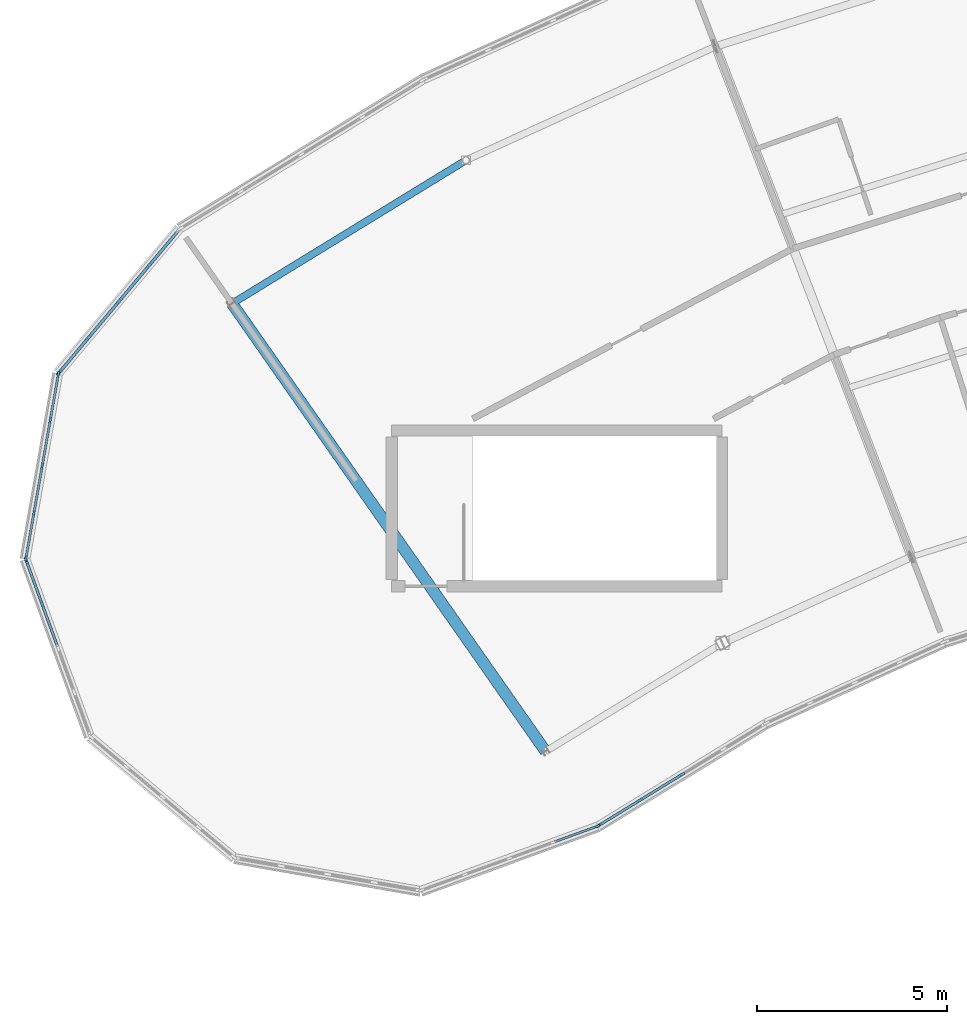
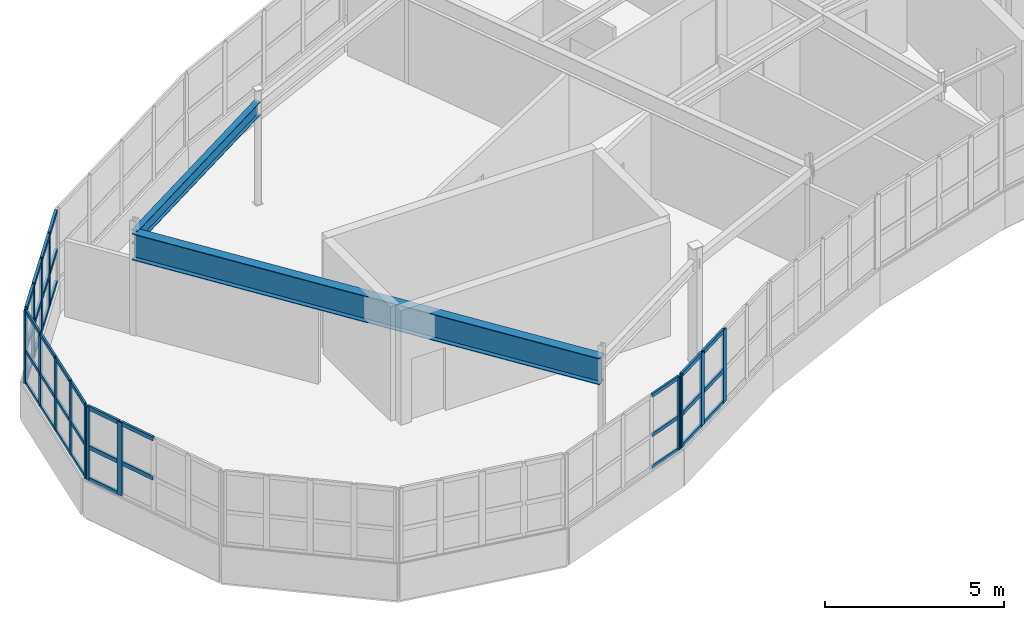
# One storey, part 26 of 60: 53 members, 2 beams, 5 elements without a shape of their own.
"""IFC4 building model written with IfcOpenShell, lengths in metres."""

from ifc_helpers import new_model, si_unit, direction, frame, origin, origin_2d, place, context, subcontext, project, spatial, rectangle, i_section, extrude, material, layer, layer_set, material_profile, profile_set, type_object, element, aggregate, save


model = new_model("IFC4")

# Units and contexts
model_context = context("Model", 3, precision=1e-05, world=origin(), true_north=direction((0.0, 1.0)))
body_context = subcontext(model_context, "Body", "Model", "MODEL_VIEW")
ifc_project = project(units=[si_unit("LENGTHUNIT", "METRE"), si_unit("AREAUNIT", "SQUARE_METRE"), si_unit("VOLUMEUNIT", "CUBIC_METRE"), si_unit("PLANEANGLEUNIT", "RADIAN"), si_unit("MASSUNIT", "GRAM", prefix="KILO")], contexts=[model_context])

# Site, building, storey
site_placement = place(None, origin())
site = spatial("IfcSite", under=ifc_project, at=site_placement, CompositionType="ELEMENT")
building_placement = place(site_placement, origin())
building = spatial("IfcBuilding", under=site, at=building_placement, Name="Tarnwether General Hospital", CompositionType="ELEMENT")
storey_placement = place(building_placement, frame((0.0, 0.0, 26.10009765625)))
storey = spatial("IfcBuildingStorey", under=building, at=storey_placement, Name="L06", CompositionType="ELEMENT", Elevation=26.10009765625)

# Beams
ifc_material_1 = material(Name="Steel Grade 350 (350 MPa)", Category="steel")
ifc_material_profile_1 = material_profile(ifc_material_1, i_section(OverallWidth=0.300048828125, OverallDepth=0.89990234375, WebThickness=0.011962890625, FlangeThickness=0.02001953125, at=origin_2d()), Name="900WB175")
ifc_profile_set_1 = profile_set([ifc_material_profile_1], Name="Steel Grade 350 (350 MPa)")
beam_type_1 = type_object("IfcBeamType", Name="BM-G01", PredefinedType="BEAM", material=ifc_profile_set_1)
beam_1_placement = place(storey_placement, frame((58.0439453125, 111.493896484375, 3.0498046875), z_axis=(0.573596601347, -0.819137924237, 0.0), x_axis=(0.819137924237, 0.573596601347, 0.0)))
element("IfcBeam", 1, at=beam_1_placement, inside=storey, type_object=beam_type_1, Name="Curved Ward NW Radial Girder BMG-L06-5804_11149-6630_9970-2013", PredefinedType="BEAM", context=body_context, shape_type="SweptSolid", body=[
    extrude(i_section(OverallWidth=0.300048828125, OverallDepth=0.89990234375, WebThickness=0.011962890625, FlangeThickness=0.02001953125, at=origin_2d()), origin(), (0.0, 0.0, 1.0), 14.400390625),
])
ifc_material_2 = material(Name="Steel Grade 350 (350 MPa)", Category="steel")
ifc_material_profile_2 = material_profile(ifc_material_2, i_section(OverallWidth=0.18994140625, OverallDepth=0.4541015625, WebThickness=0.008544921875, FlangeThickness=0.0126953125, at=origin_2d()), Name="460UB67.1")
ifc_profile_set_2 = profile_set([ifc_material_profile_2], Name="Steel Grade 350 (350 MPa)")
beam_type_2 = type_object("IfcBeamType", Name="BM-SP1", PredefinedType="SPANDREL", material=ifc_profile_set_2)
beam_2_placement = place(storey_placement, frame((58.0439453125, 111.493896484375, 3.27294921875), z_axis=(0.852678430503, 0.522436114902, 0.0), x_axis=(-0.522436114902, 0.852678430503, 0.0)))
element("IfcBeam", 2, at=beam_2_placement, inside=storey, type_object=beam_type_2, Name="Curved Ward NW Outer Spandrel BMG-L06-5804_11149-6421_11527-2019", PredefinedType="SPANDREL", context=body_context, shape_type="SweptSolid", body=[
    extrude(i_section(OverallWidth=0.18994140625, OverallDepth=0.4541015625, WebThickness=0.008544921875, FlangeThickness=0.0126953125, at=origin_2d()), origin(), (0.0, 0.0, 1.0), 7.22802734375),
])

# Curtain wall, members
ifc_material_3 = material(Name="Anodised aluminium", Category="aluminium")
ifc_layer = layer(ifc_material_3, 0.159912109375)
ifc_layer_set = layer_set([ifc_layer], Name="Anodised aluminium")
curtain_wall_type = type_object("IfcCurtainWallType", Name="CW-04", PredefinedType="NOTDEFINED", material=ifc_layer_set)
curtain_wall_1_placement = place(storey_placement, origin())
curtain_wall_1 = element("IfcCurtainWall", 3, at=curtain_wall_1_placement, inside=storey, type_object=curtain_wall_type, Name="Curtain Wall CWG-L06-526_1048-0097", PredefinedType="NOTDEFINED")
ifc_material_4 = material(Name="Anodised aluminium", Category="aluminium")
ifc_material_profile_3 = material_profile(ifc_material_4, rectangle(XDim=0.06005859375, YDim=0.159912109375, at=origin_2d()), Name="ALU-MUL-60x160")
ifc_profile_set_3 = profile_set([ifc_material_profile_3], Name="Anodised aluminium")
member_type_1 = type_object("IfcMemberType", Name="CW-ML1", PredefinedType="MULLION", material=ifc_profile_set_3)
member_1_placement = place(storey_placement, frame((52.6162109375, 104.78857421875, 1.0498046875), z_axis=(0.0, 0.0, 1.0), x_axis=(-0.984840230098, 0.173463890135, 0.0)))
member_1 = element("IfcMember", 4, at=member_1_placement, type_object=member_type_1, Name="CW-04 mullion 1", PredefinedType="MULLION", context=body_context, shape_type="SweptSolid", body=[
    extrude(rectangle(XDim=0.06005859375, YDim=0.159912109375, at=origin_2d()), origin(), (0.0, 0.0, 1.0), 2.4951171875),
])
member_2_placement = place(storey_placement, frame((52.826416015625, 105.982421875, 1.0498046875), z_axis=(0.0, 0.0, 1.0), x_axis=(-0.984840230098, 0.173463890135, 0.0)))
member_2 = element("IfcMember", 5, at=member_2_placement, type_object=member_type_1, Name="CW-04 mullion 2", PredefinedType="MULLION", context=body_context, shape_type="SweptSolid", body=[
    extrude(rectangle(XDim=0.06005859375, YDim=0.159912109375, at=origin_2d()), origin(), (0.0, 0.0, 1.0), 2.4951171875),
])
member_3_placement = place(storey_placement, frame((53.0419921875, 107.2060546875, 1.0498046875), z_axis=(0.0, 0.0, 1.0), x_axis=(-0.984840230098, 0.173463890135, 0.0)))
member_3 = element("IfcMember", 6, at=member_3_placement, type_object=member_type_1, Name="CW-04 mullion 3", PredefinedType="MULLION", context=body_context, shape_type="SweptSolid", body=[
    extrude(rectangle(XDim=0.06005859375, YDim=0.159912109375, at=origin_2d()), origin(), (0.0, 0.0, 1.0), 2.4951171875),
])
member_4_placement = place(storey_placement, frame((53.257568359375, 108.429443359375, 1.0498046875), z_axis=(0.0, 0.0, 1.0), x_axis=(-0.984840230098, 0.173463890135, 0.0)))
member_4 = element("IfcMember", 7, at=member_4_placement, type_object=member_type_1, Name="CW-04 mullion 4", PredefinedType="MULLION", context=body_context, shape_type="SweptSolid", body=[
    extrude(rectangle(XDim=0.06005859375, YDim=0.159912109375, at=origin_2d()), origin(), (0.0, 0.0, 1.0), 2.4951171875),
])
member_5_placement = place(storey_placement, frame((53.4677734375, 109.62353515625, 1.0498046875), z_axis=(0.0, 0.0, 1.0), x_axis=(-0.984840230098, 0.173463890135, 0.0)))
member_5 = element("IfcMember", 8, at=member_5_placement, type_object=member_type_1, Name="CW-04 mullion 5", PredefinedType="MULLION", context=body_context, shape_type="SweptSolid", body=[
    extrude(rectangle(XDim=0.06005859375, YDim=0.159912109375, at=origin_2d()), origin(), (0.0, 0.0, 1.0), 2.4951171875),
])

# Curtain wall, member
curtain_wall_2_placement = place(storey_placement, origin())
curtain_wall_2 = element("IfcCurtainWall", 9, at=curtain_wall_2_placement, inside=storey, type_object=curtain_wall_type, Name="Curtain Wall CWG-L06-677_977-0101", PredefinedType="NOTDEFINED")
member_6_placement = place(storey_placement, frame((67.65185546875, 97.7216796875, 1.0498046875), z_axis=(0.0, 0.0, 1.0), x_axis=(0.342130850834, -0.939652319163, 0.0)))
member_6 = element("IfcMember", 10, at=member_6_placement, type_object=member_type_1, Name="CW-04 mullion 1", PredefinedType="MULLION", context=body_context, shape_type="SweptSolid", body=[
    extrude(rectangle(XDim=0.06005859375, YDim=0.159912109375, at=origin_2d()), origin(), (0.0, 0.0, 1.0), 2.4951171875),
])

# Curtain wall, members
curtain_wall_3_placement = place(storey_placement, origin())
curtain_wall_3 = element("IfcCurtainWall", 11, at=curtain_wall_3_placement, inside=storey, type_object=curtain_wall_type, Name="Curtain Wall CWG-L06-543_1001-0098", PredefinedType="NOTDEFINED")
ifc_material_5 = material(Name="Anodised aluminium", Category="aluminium")
ifc_material_profile_4 = material_profile(ifc_material_5, rectangle(XDim=0.070068359375, YDim=0.179931640625, at=origin_2d()), Name="ALU-MUL-70x180")
ifc_profile_set_4 = profile_set([ifc_material_profile_4], Name="Anodised aluminium")
member_type_2 = type_object("IfcMemberType", Name="CW-ML2", PredefinedType="MULLION", material=ifc_profile_set_4)
member_7_placement = place(storey_placement, frame((53.03564453125, 103.591796875, 1.0498046875), z_axis=(0.0, 0.0, 1.0), x_axis=(-0.939717006582, -0.341953136469, 0.0)))
member_7 = element("IfcMember", 12, at=member_7_placement, type_object=member_type_2, Name="CW-04 mullion 4", PredefinedType="MULLION", context=body_context, shape_type="SweptSolid", body=[
    extrude(rectangle(XDim=0.070068359375, YDim=0.179931640625, at=origin_2d()), origin(), (0.0, 0.0, 1.0), 2.4951171875),
])
member_8_placement = place(storey_placement, frame((52.623046875, 104.72607421875, 1.0498046875), z_axis=(0.0, 0.0, 1.0), x_axis=(-0.939717006582, -0.341953136469, 0.0)))
member_8 = element("IfcMember", 13, at=member_8_placement, type_object=member_type_2, Name="CW-04 mullion 5", PredefinedType="MULLION", context=body_context, shape_type="SweptSolid", body=[
    extrude(rectangle(XDim=0.070068359375, YDim=0.179931640625, at=origin_2d()), origin(), (0.0, 0.0, 1.0), 2.4951171875),
])

curtain_wall_4_placement = place(storey_placement, origin())
curtain_wall_4 = element("IfcCurtainWall", 14, at=curtain_wall_4_placement, inside=storey, type_object=curtain_wall_type, Name="Curtain Wall CWG-L06-721_1004-0102", PredefinedType="NOTDEFINED")
member_9_placement = place(storey_placement, frame((69.886962890625, 99.08447265625, 1.0498046875), z_axis=(0.0, 0.0, 1.0), x_axis=(0.522512231483, -0.852631789198, 0.0)))
member_9 = element("IfcMember", 15, at=member_9_placement, type_object=member_type_2, Name="CW-04 mullion 3", PredefinedType="MULLION", context=body_context, shape_type="SweptSolid", body=[
    extrude(rectangle(XDim=0.070068359375, YDim=0.179931640625, at=origin_2d()), origin(), (0.0, 0.0, 1.0), 2.4951171875),
])
member_10_placement = place(storey_placement, frame((68.783447265625, 98.408203125, 1.0498046875), z_axis=(0.0, 0.0, 1.0), x_axis=(0.522512231483, -0.852631789198, 0.0)))
member_10 = element("IfcMember", 16, at=member_10_placement, type_object=member_type_2, Name="CW-04 mullion 4", PredefinedType="MULLION", context=body_context, shape_type="SweptSolid", body=[
    extrude(rectangle(XDim=0.070068359375, YDim=0.179931640625, at=origin_2d()), origin(), (0.0, 0.0, 1.0), 2.4951171875),
])
member_11_placement = place(storey_placement, frame((67.7099609375, 97.750244140625, 1.0498046875), z_axis=(0.0, 0.0, 1.0), x_axis=(0.522512231483, -0.852631789198, 0.0)))
member_11 = element("IfcMember", 17, at=member_11_placement, type_object=member_type_2, Name="CW-04 mullion 5", PredefinedType="MULLION", context=body_context, shape_type="SweptSolid", body=[
    extrude(rectangle(XDim=0.070068359375, YDim=0.179931640625, at=origin_2d()), origin(), (0.0, 0.0, 1.0), 2.4951171875),
])

curtain_wall_5_placement = place(storey_placement, origin())
curtain_wall_5 = element("IfcCurtainWall", 18, at=curtain_wall_5_placement, inside=storey, type_object=curtain_wall_type, Name="Curtain Wall CWG-L06-535_1097-0128", PredefinedType="NOTDEFINED")
ifc_material_6 = material(Name="Anodised aluminium", Category="aluminium")
ifc_material_profile_5 = material_profile(ifc_material_6, rectangle(XDim=0.080078125, YDim=0.199951171875, at=origin_2d()), Name="ALU-MUL-80x200")
ifc_profile_set_5 = profile_set([ifc_material_profile_5], Name="Anodised aluminium")
member_type_3 = type_object("IfcMemberType", Name="CW-ML4", PredefinedType="MULLION", material=ifc_profile_set_5)
member_12_placement = place(storey_placement, frame((53.498779296875, 109.68359375, 1.0498046875), z_axis=(0.0, 0.0, 1.0), x_axis=(-0.765990176896, 0.64285227611, 0.0)))
member_12 = element("IfcMember", 19, at=member_12_placement, type_object=member_type_3, Name="CW-04 mullion 1", PredefinedType="MULLION", context=body_context, shape_type="SweptSolid", body=[
    extrude(rectangle(XDim=0.080078125, YDim=0.199951171875, at=origin_2d()), origin(), (0.0, 0.0, 1.0), 2.4951171875),
])
member_13_placement = place(storey_placement, frame((54.271728515625, 110.604736328125, 1.0498046875), z_axis=(0.0, 0.0, 1.0), x_axis=(-0.765990176896, 0.64285227611, 0.0)))
member_13 = element("IfcMember", 20, at=member_13_placement, type_object=member_type_3, Name="CW-04 mullion 2", PredefinedType="MULLION", context=body_context, shape_type="SweptSolid", body=[
    extrude(rectangle(XDim=0.080078125, YDim=0.199951171875, at=origin_2d()), origin(), (0.0, 0.0, 1.0), 2.4951171875),
])
member_14_placement = place(storey_placement, frame((55.070556640625, 111.556396484375, 1.0498046875), z_axis=(0.0, 0.0, 1.0), x_axis=(-0.765990176896, 0.64285227611, 0.0)))
member_14 = element("IfcMember", 21, at=member_14_placement, type_object=member_type_3, Name="CW-04 mullion 3", PredefinedType="MULLION", context=body_context, shape_type="SweptSolid", body=[
    extrude(rectangle(XDim=0.080078125, YDim=0.199951171875, at=origin_2d()), origin(), (0.0, 0.0, 1.0), 2.4951171875),
])
member_15_placement = place(storey_placement, frame((55.869140625, 112.50830078125, 1.0498046875), z_axis=(0.0, 0.0, 1.0), x_axis=(-0.765990176896, 0.64285227611, 0.0)))
member_15 = element("IfcMember", 22, at=member_15_placement, type_object=member_type_3, Name="CW-04 mullion 4", PredefinedType="MULLION", context=body_context, shape_type="SweptSolid", body=[
    extrude(rectangle(XDim=0.080078125, YDim=0.199951171875, at=origin_2d()), origin(), (0.0, 0.0, 1.0), 2.4951171875),
])

# Member
ifc_material_7 = material(Name="Anodised aluminium", Category="aluminium")
ifc_material_profile_6 = material_profile(ifc_material_7, rectangle(XDim=0.06005859375, YDim=0.1201171875, at=origin_2d()), Name="ALU-TRN-60x120")
ifc_profile_set_6 = profile_set([ifc_material_profile_6], Name="Anodised aluminium")
member_type_4 = type_object("IfcMemberType", Name="CW-TR1", PredefinedType="USERDEFINED", material=ifc_profile_set_6)
member_16_placement = place(storey_placement, frame((52.621337890625, 104.818115234375, 1.079833984375), z_axis=(0.173531496142, 0.984828319986, 0.0), x_axis=(-0.984828319986, 0.173531496142, 0.0)))
member_16 = element("IfcMember", 23, at=member_16_placement, type_object=member_type_4, Name="CW-04 transom 1.1", ObjectType="TRANSOM", PredefinedType="USERDEFINED", context=body_context, shape_type="SweptSolid", body=[
    extrude(rectangle(XDim=0.06005859375, YDim=0.1201171875, at=origin_2d()), origin(), (0.0, 0.0, 1.0), 1.15234375),
])

member_17_placement = place(storey_placement, frame((52.621337890625, 104.818115234375, 2.172607421875), z_axis=(0.173531496142, 0.984828319986, 0.0), x_axis=(-0.984828319986, 0.173531496142, 0.0)))
member_17 = element("IfcMember", 24, at=member_17_placement, type_object=member_type_4, Name="CW-04 transom 1.2", ObjectType="TRANSOM", PredefinedType="USERDEFINED", context=body_context, shape_type="SweptSolid", body=[
    extrude(rectangle(XDim=0.06005859375, YDim=0.1201171875, at=origin_2d()), origin(), (0.0, 0.0, 1.0), 1.15234375),
])

member_18_placement = place(storey_placement, frame((52.621337890625, 104.818115234375, 3.514892578125), z_axis=(0.173531496142, 0.984828319986, 0.0), x_axis=(-0.984828319986, 0.173531496142, 0.0)))
member_18 = element("IfcMember", 25, at=member_18_placement, type_object=member_type_4, Name="CW-04 transom 1.3", ObjectType="TRANSOM", PredefinedType="USERDEFINED", context=body_context, shape_type="SweptSolid", body=[
    extrude(rectangle(XDim=0.06005859375, YDim=0.1201171875, at=origin_2d()), origin(), (0.0, 0.0, 1.0), 1.15234375),
])

member_19_placement = place(storey_placement, frame((52.831787109375, 106.011962890625, 1.079833984375), z_axis=(0.173431973782, 0.984845851121, 0.0), x_axis=(-0.984845851121, 0.173431973782, 0.0)))
member_19 = element("IfcMember", 26, at=member_19_placement, type_object=member_type_4, Name="CW-04 transom 2.1", ObjectType="TRANSOM", PredefinedType="USERDEFINED", context=body_context, shape_type="SweptSolid", body=[
    extrude(rectangle(XDim=0.06005859375, YDim=0.1201171875, at=origin_2d()), origin(), (0.0, 0.0, 1.0), 1.182373046875),
])

member_20_placement = place(storey_placement, frame((52.831787109375, 106.011962890625, 2.172607421875), z_axis=(0.173431973782, 0.984845851121, 0.0), x_axis=(-0.984845851121, 0.173431973782, 0.0)))
member_20 = element("IfcMember", 27, at=member_20_placement, type_object=member_type_4, Name="CW-04 transom 2.2", ObjectType="TRANSOM", PredefinedType="USERDEFINED", context=body_context, shape_type="SweptSolid", body=[
    extrude(rectangle(XDim=0.06005859375, YDim=0.1201171875, at=origin_2d()), origin(), (0.0, 0.0, 1.0), 1.182373046875),
])

member_21_placement = place(storey_placement, frame((52.831787109375, 106.011962890625, 3.514892578125), z_axis=(0.173431973782, 0.984845851121, 0.0), x_axis=(-0.984845851121, 0.173431973782, 0.0)))
member_21 = element("IfcMember", 28, at=member_21_placement, type_object=member_type_4, Name="CW-04 transom 2.3", ObjectType="TRANSOM", PredefinedType="USERDEFINED", context=body_context, shape_type="SweptSolid", body=[
    extrude(rectangle(XDim=0.06005859375, YDim=0.1201171875, at=origin_2d()), origin(), (0.0, 0.0, 1.0), 1.182373046875),
])

member_22_placement = place(storey_placement, frame((53.047119140625, 107.235595703125, 1.079833984375), z_axis=(0.173467246121, 0.984839638989, 0.0), x_axis=(-0.984839638989, 0.173467246121, 0.0)))
member_22 = element("IfcMember", 29, at=member_22_placement, type_object=member_type_4, Name="CW-04 transom 3.1", ObjectType="TRANSOM", PredefinedType="USERDEFINED", context=body_context, shape_type="SweptSolid", body=[
    extrude(rectangle(XDim=0.06005859375, YDim=0.1201171875, at=origin_2d()), origin(), (0.0, 0.0, 1.0), 1.18212890625),
])

member_23_placement = place(storey_placement, frame((53.047119140625, 107.235595703125, 2.172607421875), z_axis=(0.173467246121, 0.984839638989, 0.0), x_axis=(-0.984839638989, 0.173467246121, 0.0)))
member_23 = element("IfcMember", 30, at=member_23_placement, type_object=member_type_4, Name="CW-04 transom 3.2", ObjectType="TRANSOM", PredefinedType="USERDEFINED", context=body_context, shape_type="SweptSolid", body=[
    extrude(rectangle(XDim=0.06005859375, YDim=0.1201171875, at=origin_2d()), origin(), (0.0, 0.0, 1.0), 1.18212890625),
])

member_24_placement = place(storey_placement, frame((53.047119140625, 107.235595703125, 3.514892578125), z_axis=(0.173467246121, 0.984839638989, 0.0), x_axis=(-0.984839638989, 0.173467246121, 0.0)))
member_24 = element("IfcMember", 31, at=member_24_placement, type_object=member_type_4, Name="CW-04 transom 3.3", ObjectType="TRANSOM", PredefinedType="USERDEFINED", context=body_context, shape_type="SweptSolid", body=[
    extrude(rectangle(XDim=0.06005859375, YDim=0.1201171875, at=origin_2d()), origin(), (0.0, 0.0, 1.0), 1.18212890625),
])

member_25_placement = place(storey_placement, frame((53.2626953125, 108.458984375, 1.079833984375), z_axis=(0.173495293185, 0.984834698435, 0.0), x_axis=(-0.984834698435, 0.173495293185, 0.0)))
member_25 = element("IfcMember", 32, at=member_25_placement, type_object=member_type_4, Name="CW-04 transom 4.1", ObjectType="TRANSOM", PredefinedType="USERDEFINED", context=body_context, shape_type="SweptSolid", body=[
    extrude(rectangle(XDim=0.06005859375, YDim=0.1201171875, at=origin_2d()), origin(), (0.0, 0.0, 1.0), 1.152587890625),
])

member_26_placement = place(storey_placement, frame((53.2626953125, 108.458984375, 2.172607421875), z_axis=(0.173495293185, 0.984834698435, 0.0), x_axis=(-0.984834698435, 0.173495293185, 0.0)))
member_26 = element("IfcMember", 33, at=member_26_placement, type_object=member_type_4, Name="CW-04 transom 4.2", ObjectType="TRANSOM", PredefinedType="USERDEFINED", context=body_context, shape_type="SweptSolid", body=[
    extrude(rectangle(XDim=0.06005859375, YDim=0.1201171875, at=origin_2d()), origin(), (0.0, 0.0, 1.0), 1.152587890625),
])

member_27_placement = place(storey_placement, frame((53.2626953125, 108.458984375, 3.514892578125), z_axis=(0.173495293185, 0.984834698435, 0.0), x_axis=(-0.984834698435, 0.173495293185, 0.0)))
member_27 = element("IfcMember", 34, at=member_27_placement, type_object=member_type_4, Name="CW-04 transom 4.3", ObjectType="TRANSOM", PredefinedType="USERDEFINED", context=body_context, shape_type="SweptSolid", body=[
    extrude(rectangle(XDim=0.06005859375, YDim=0.1201171875, at=origin_2d()), origin(), (0.0, 0.0, 1.0), 1.152587890625),
])

aggregate(curtain_wall_1, [member_1, member_2, member_3, member_4, member_5, member_16, member_17, member_18, member_19, member_20, member_21, member_22, member_23, member_24, member_25, member_26, member_27])

member_28_placement = place(storey_placement, frame((67.62353515625, 97.71142578125, 1.079833984375), z_axis=(-0.939681996159, -0.342049332837, 0.0), x_axis=(0.342049332837, -0.939681996159, 0.0)))
member_28 = element("IfcMember", 35, at=member_28_placement, type_object=member_type_4, Name="CW-04 transom 1.1", ObjectType="TRANSOM", PredefinedType="USERDEFINED", context=body_context, shape_type="SweptSolid", body=[
    extrude(rectangle(XDim=0.06005859375, YDim=0.1201171875, at=origin_2d()), origin(), (0.0, 0.0, 1.0), 1.152099609375),
])

member_29_placement = place(storey_placement, frame((67.62353515625, 97.71142578125, 2.172607421875), z_axis=(-0.939681996159, -0.342049332837, 0.0), x_axis=(0.342049332837, -0.939681996159, 0.0)))
member_29 = element("IfcMember", 36, at=member_29_placement, type_object=member_type_4, Name="CW-04 transom 1.2", ObjectType="TRANSOM", PredefinedType="USERDEFINED", context=body_context, shape_type="SweptSolid", body=[
    extrude(rectangle(XDim=0.06005859375, YDim=0.1201171875, at=origin_2d()), origin(), (0.0, 0.0, 1.0), 1.152099609375),
])

member_30_placement = place(storey_placement, frame((67.62353515625, 97.71142578125, 3.514892578125), z_axis=(-0.939681996159, -0.342049332837, 0.0), x_axis=(0.342049332837, -0.939681996159, 0.0)))
member_30 = element("IfcMember", 37, at=member_30_placement, type_object=member_type_4, Name="CW-04 transom 1.3", ObjectType="TRANSOM", PredefinedType="USERDEFINED", context=body_context, shape_type="SweptSolid", body=[
    extrude(rectangle(XDim=0.06005859375, YDim=0.1201171875, at=origin_2d()), origin(), (0.0, 0.0, 1.0), 1.152099609375),
])

aggregate(curtain_wall_2, [member_6, member_28, member_29, member_30])

ifc_material_8 = material(Name="Anodised aluminium", Category="aluminium")
ifc_material_profile_7 = material_profile(ifc_material_8, rectangle(XDim=0.070068359375, YDim=0.139892578125, at=origin_2d()), Name="ALU-TRN-70x140")
ifc_profile_set_7 = profile_set([ifc_material_profile_7], Name="Anodised aluminium")
member_type_5 = type_object("IfcMemberType", Name="CW-TR2", PredefinedType="USERDEFINED", material=ifc_profile_set_7)
member_31_placement = place(storey_placement, frame((53.448486328125, 102.457275390625, 2.172607421875), z_axis=(-0.341977164717, 0.939708262607, 0.0), x_axis=(-0.939708262607, -0.341977164717, 0.0)))
member_31 = element("IfcMember", 38, at=member_31_placement, type_object=member_type_5, Name="CW-04 transom 3.2", ObjectType="TRANSOM", PredefinedType="USERDEFINED", context=body_context, shape_type="SweptSolid", body=[
    extrude(rectangle(XDim=0.070068359375, YDim=0.139892578125, at=origin_2d()), origin(), (0.0, 0.0, 1.0), 1.172119140625),
])

member_32_placement = place(storey_placement, frame((53.448486328125, 102.457275390625, 3.510009765625), z_axis=(-0.341977164717, 0.939708262607, 0.0), x_axis=(-0.939708262607, -0.341977164717, 0.0)))
member_32 = element("IfcMember", 39, at=member_32_placement, type_object=member_type_5, Name="CW-04 transom 3.3", ObjectType="TRANSOM", PredefinedType="USERDEFINED", context=body_context, shape_type="SweptSolid", body=[
    extrude(rectangle(XDim=0.070068359375, YDim=0.139892578125, at=origin_2d()), origin(), (0.0, 0.0, 1.0), 1.172119140625),
])

member_33_placement = place(storey_placement, frame((53.023681640625, 103.624755859375, 1.0849609375), z_axis=(-0.341881000608, 0.939743252928, 0.0), x_axis=(-0.939743252928, -0.341881000608, 0.0)))
member_33 = element("IfcMember", 40, at=member_33_placement, type_object=member_type_5, Name="CW-04 transom 4.1", ObjectType="TRANSOM", PredefinedType="USERDEFINED", context=body_context, shape_type="SweptSolid", body=[
    extrude(rectangle(XDim=0.070068359375, YDim=0.139892578125, at=origin_2d()), origin(), (0.0, 0.0, 1.0), 1.136962890625),
])

member_34_placement = place(storey_placement, frame((53.023681640625, 103.624755859375, 2.172607421875), z_axis=(-0.341881000608, 0.939743252928, 0.0), x_axis=(-0.939743252928, -0.341881000608, 0.0)))
member_34 = element("IfcMember", 41, at=member_34_placement, type_object=member_type_5, Name="CW-04 transom 4.2", ObjectType="TRANSOM", PredefinedType="USERDEFINED", context=body_context, shape_type="SweptSolid", body=[
    extrude(rectangle(XDim=0.070068359375, YDim=0.139892578125, at=origin_2d()), origin(), (0.0, 0.0, 1.0), 1.136962890625),
])

member_35_placement = place(storey_placement, frame((53.023681640625, 103.624755859375, 3.510009765625), z_axis=(-0.341881000608, 0.939743252928, 0.0), x_axis=(-0.939743252928, -0.341881000608, 0.0)))
member_35 = element("IfcMember", 42, at=member_35_placement, type_object=member_type_5, Name="CW-04 transom 4.3", ObjectType="TRANSOM", PredefinedType="USERDEFINED", context=body_context, shape_type="SweptSolid", body=[
    extrude(rectangle(XDim=0.070068359375, YDim=0.139892578125, at=origin_2d()), origin(), (0.0, 0.0, 1.0), 1.136962890625),
])

aggregate(curtain_wall_3, [member_7, member_8, member_31, member_32, member_33, member_34, member_35])

member_36_placement = place(storey_placement, frame((69.857177734375, 99.066162109375, 1.0849609375), z_axis=(-0.852670027324, -0.522449829651, 0.0), x_axis=(0.522449829651, -0.852670027324, 0.0)))
member_36 = element("IfcMember", 43, at=member_36_placement, type_object=member_type_5, Name="CW-04 transom 3.1", ObjectType="TRANSOM", PredefinedType="USERDEFINED", context=body_context, shape_type="SweptSolid", body=[
    extrude(rectangle(XDim=0.070068359375, YDim=0.139892578125, at=origin_2d()), origin(), (0.0, 0.0, 1.0), 1.224365234375),
])

member_37_placement = place(storey_placement, frame((69.857177734375, 99.066162109375, 2.172607421875), z_axis=(-0.852670027324, -0.522449829651, 0.0), x_axis=(0.522449829651, -0.852670027324, 0.0)))
member_37 = element("IfcMember", 44, at=member_37_placement, type_object=member_type_5, Name="CW-04 transom 3.2", ObjectType="TRANSOM", PredefinedType="USERDEFINED", context=body_context, shape_type="SweptSolid", body=[
    extrude(rectangle(XDim=0.070068359375, YDim=0.139892578125, at=origin_2d()), origin(), (0.0, 0.0, 1.0), 1.224365234375),
])

member_38_placement = place(storey_placement, frame((69.857177734375, 99.066162109375, 3.510009765625), z_axis=(-0.852670027324, -0.522449829651, 0.0), x_axis=(0.522449829651, -0.852670027324, 0.0)))
member_38 = element("IfcMember", 45, at=member_38_placement, type_object=member_type_5, Name="CW-04 transom 3.3", ObjectType="TRANSOM", PredefinedType="USERDEFINED", context=body_context, shape_type="SweptSolid", body=[
    extrude(rectangle(XDim=0.070068359375, YDim=0.139892578125, at=origin_2d()), origin(), (0.0, 0.0, 1.0), 1.224365234375),
])

member_39_placement = place(storey_placement, frame((68.753662109375, 98.389892578125, 1.0849609375), z_axis=(-0.852636658785, -0.522504285242, 0.0), x_axis=(0.522504285242, -0.852636658785, 0.0)))
member_39 = element("IfcMember", 46, at=member_39_placement, type_object=member_type_5, Name="CW-04 transom 4.1", ObjectType="TRANSOM", PredefinedType="USERDEFINED", context=body_context, shape_type="SweptSolid", body=[
    extrude(rectangle(XDim=0.070068359375, YDim=0.139892578125, at=origin_2d()), origin(), (0.0, 0.0, 1.0), 1.189208984375),
])

member_40_placement = place(storey_placement, frame((68.753662109375, 98.389892578125, 2.172607421875), z_axis=(-0.852636658785, -0.522504285242, 0.0), x_axis=(0.522504285242, -0.852636658785, 0.0)))
member_40 = element("IfcMember", 47, at=member_40_placement, type_object=member_type_5, Name="CW-04 transom 4.2", ObjectType="TRANSOM", PredefinedType="USERDEFINED", context=body_context, shape_type="SweptSolid", body=[
    extrude(rectangle(XDim=0.070068359375, YDim=0.139892578125, at=origin_2d()), origin(), (0.0, 0.0, 1.0), 1.189208984375),
])

member_41_placement = place(storey_placement, frame((68.753662109375, 98.389892578125, 3.510009765625), z_axis=(-0.852636658785, -0.522504285242, 0.0), x_axis=(0.522504285242, -0.852636658785, 0.0)))
member_41 = element("IfcMember", 48, at=member_41_placement, type_object=member_type_5, Name="CW-04 transom 4.3", ObjectType="TRANSOM", PredefinedType="USERDEFINED", context=body_context, shape_type="SweptSolid", body=[
    extrude(rectangle(XDim=0.070068359375, YDim=0.139892578125, at=origin_2d()), origin(), (0.0, 0.0, 1.0), 1.189208984375),
])

aggregate(curtain_wall_4, [member_9, member_10, member_11, member_36, member_37, member_38, member_39, member_40, member_41])

ifc_material_9 = material(Name="Anodised aluminium", Category="aluminium")
ifc_material_profile_8 = material_profile(ifc_material_9, rectangle(XDim=0.080078125, YDim=0.14990234375, at=origin_2d()), Name="ALU-TRN-80x150")
ifc_profile_set_8 = profile_set([ifc_material_profile_8], Name="Anodised aluminium")
member_type_6 = type_object("IfcMemberType", Name="CW-TR4", PredefinedType="USERDEFINED", material=ifc_profile_set_8)
member_42_placement = place(storey_placement, frame((53.5244140625, 109.71435546875, 1.08984375), z_axis=(0.642875805885, 0.765970429069, 0.0), x_axis=(-0.765970429069, 0.642875805885, 0.0)))
member_42 = element("IfcMember", 49, at=member_42_placement, type_object=member_type_6, Name="CW-04 transom 1.1", ObjectType="TRANSOM", PredefinedType="USERDEFINED", context=body_context, shape_type="SweptSolid", body=[
    extrude(rectangle(XDim=0.080078125, YDim=0.14990234375, at=origin_2d()), origin(), (0.0, 0.0, 1.0), 1.12255859375),
])

member_43_placement = place(storey_placement, frame((53.5244140625, 109.71435546875, 2.172607421875), z_axis=(0.642875805885, 0.765970429069, 0.0), x_axis=(-0.765970429069, 0.642875805885, 0.0)))
member_43 = element("IfcMember", 50, at=member_43_placement, type_object=member_type_6, Name="CW-04 transom 1.2", ObjectType="TRANSOM", PredefinedType="USERDEFINED", context=body_context, shape_type="SweptSolid", body=[
    extrude(rectangle(XDim=0.080078125, YDim=0.14990234375, at=origin_2d()), origin(), (0.0, 0.0, 1.0), 1.12255859375),
])

member_44_placement = place(storey_placement, frame((53.5244140625, 109.71435546875, 3.5048828125), z_axis=(0.642875805885, 0.765970429069, 0.0), x_axis=(-0.765970429069, 0.642875805885, 0.0)))
member_44 = element("IfcMember", 51, at=member_44_placement, type_object=member_type_6, Name="CW-04 transom 1.3", ObjectType="TRANSOM", PredefinedType="USERDEFINED", context=body_context, shape_type="SweptSolid", body=[
    extrude(rectangle(XDim=0.080078125, YDim=0.14990234375, at=origin_2d()), origin(), (0.0, 0.0, 1.0), 1.12255859375),
])

member_45_placement = place(storey_placement, frame((54.29736328125, 110.635498046875, 1.08984375), z_axis=(0.642886651766, 0.765961326035, 0.0), x_axis=(-0.765961326035, 0.642886651766, 0.0)))
member_45 = element("IfcMember", 52, at=member_45_placement, type_object=member_type_6, Name="CW-04 transom 2.1", ObjectType="TRANSOM", PredefinedType="USERDEFINED", context=body_context, shape_type="SweptSolid", body=[
    extrude(rectangle(XDim=0.080078125, YDim=0.14990234375, at=origin_2d()), origin(), (0.0, 0.0, 1.0), 1.162353515625),
])

member_46_placement = place(storey_placement, frame((54.29736328125, 110.635498046875, 2.172607421875), z_axis=(0.642886651766, 0.765961326035, 0.0), x_axis=(-0.765961326035, 0.642886651766, 0.0)))
member_46 = element("IfcMember", 53, at=member_46_placement, type_object=member_type_6, Name="CW-04 transom 2.2", ObjectType="TRANSOM", PredefinedType="USERDEFINED", context=body_context, shape_type="SweptSolid", body=[
    extrude(rectangle(XDim=0.080078125, YDim=0.14990234375, at=origin_2d()), origin(), (0.0, 0.0, 1.0), 1.162353515625),
])

member_47_placement = place(storey_placement, frame((54.29736328125, 110.635498046875, 3.5048828125), z_axis=(0.642886651766, 0.765961326035, 0.0), x_axis=(-0.765961326035, 0.642886651766, 0.0)))
member_47 = element("IfcMember", 54, at=member_47_placement, type_object=member_type_6, Name="CW-04 transom 2.3", ObjectType="TRANSOM", PredefinedType="USERDEFINED", context=body_context, shape_type="SweptSolid", body=[
    extrude(rectangle(XDim=0.080078125, YDim=0.14990234375, at=origin_2d()), origin(), (0.0, 0.0, 1.0), 1.162353515625),
])

member_48_placement = place(storey_placement, frame((55.09619140625, 111.587158203125, 1.08984375), z_axis=(0.642886651766, 0.765961326035, 0.0), x_axis=(-0.765961326035, 0.642886651766, 0.0)))
member_48 = element("IfcMember", 55, at=member_48_placement, type_object=member_type_6, Name="CW-04 transom 3.1", ObjectType="TRANSOM", PredefinedType="USERDEFINED", context=body_context, shape_type="SweptSolid", body=[
    extrude(rectangle(XDim=0.080078125, YDim=0.14990234375, at=origin_2d()), origin(), (0.0, 0.0, 1.0), 1.162353515625),
])

member_49_placement = place(storey_placement, frame((55.09619140625, 111.587158203125, 2.172607421875), z_axis=(0.642886651766, 0.765961326035, 0.0), x_axis=(-0.765961326035, 0.642886651766, 0.0)))
member_49 = element("IfcMember", 56, at=member_49_placement, type_object=member_type_6, Name="CW-04 transom 3.2", ObjectType="TRANSOM", PredefinedType="USERDEFINED", context=body_context, shape_type="SweptSolid", body=[
    extrude(rectangle(XDim=0.080078125, YDim=0.14990234375, at=origin_2d()), origin(), (0.0, 0.0, 1.0), 1.162353515625),
])

member_50_placement = place(storey_placement, frame((55.09619140625, 111.587158203125, 3.5048828125), z_axis=(0.642886651766, 0.765961326035, 0.0), x_axis=(-0.765961326035, 0.642886651766, 0.0)))
member_50 = element("IfcMember", 57, at=member_50_placement, type_object=member_type_6, Name="CW-04 transom 3.3", ObjectType="TRANSOM", PredefinedType="USERDEFINED", context=body_context, shape_type="SweptSolid", body=[
    extrude(rectangle(XDim=0.080078125, YDim=0.14990234375, at=origin_2d()), origin(), (0.0, 0.0, 1.0), 1.162353515625),
])

member_51_placement = place(storey_placement, frame((55.89501953125, 112.538818359375, 1.08984375), z_axis=(0.642748180301, 0.766077526572, 0.0), x_axis=(-0.766077526572, 0.642748180301, 0.0)))
member_51 = element("IfcMember", 58, at=member_51_placement, type_object=member_type_6, Name="CW-04 transom 4.1", ObjectType="TRANSOM", PredefinedType="USERDEFINED", context=body_context, shape_type="SweptSolid", body=[
    extrude(rectangle(XDim=0.080078125, YDim=0.14990234375, at=origin_2d()), origin(), (0.0, 0.0, 1.0), 1.122314453125),
])

member_52_placement = place(storey_placement, frame((55.89501953125, 112.538818359375, 2.172607421875), z_axis=(0.642748180301, 0.766077526572, 0.0), x_axis=(-0.766077526572, 0.642748180301, 0.0)))
member_52 = element("IfcMember", 59, at=member_52_placement, type_object=member_type_6, Name="CW-04 transom 4.2", ObjectType="TRANSOM", PredefinedType="USERDEFINED", context=body_context, shape_type="SweptSolid", body=[
    extrude(rectangle(XDim=0.080078125, YDim=0.14990234375, at=origin_2d()), origin(), (0.0, 0.0, 1.0), 1.122314453125),
])

member_53_placement = place(storey_placement, frame((55.89501953125, 112.538818359375, 3.5048828125), z_axis=(0.642748180301, 0.766077526572, 0.0), x_axis=(-0.766077526572, 0.642748180301, 0.0)))
member_53 = element("IfcMember", 60, at=member_53_placement, type_object=member_type_6, Name="CW-04 transom 4.3", ObjectType="TRANSOM", PredefinedType="USERDEFINED", context=body_context, shape_type="SweptSolid", body=[
    extrude(rectangle(XDim=0.080078125, YDim=0.14990234375, at=origin_2d()), origin(), (0.0, 0.0, 1.0), 1.122314453125),
])

aggregate(curtain_wall_5, [member_12, member_13, member_14, member_15, member_42, member_43, member_44, member_45, member_46, member_47, member_48, member_49, member_50, member_51, member_52, member_53])

save(model, "model.ifc")
